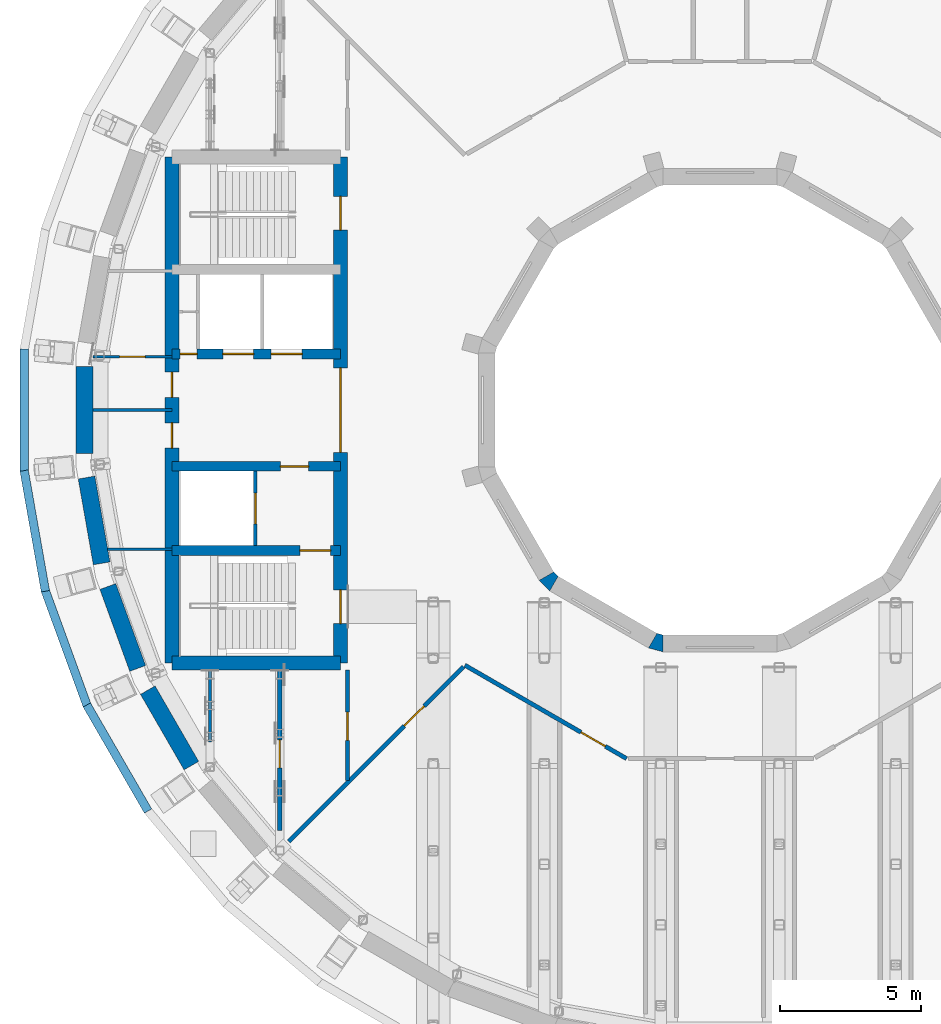
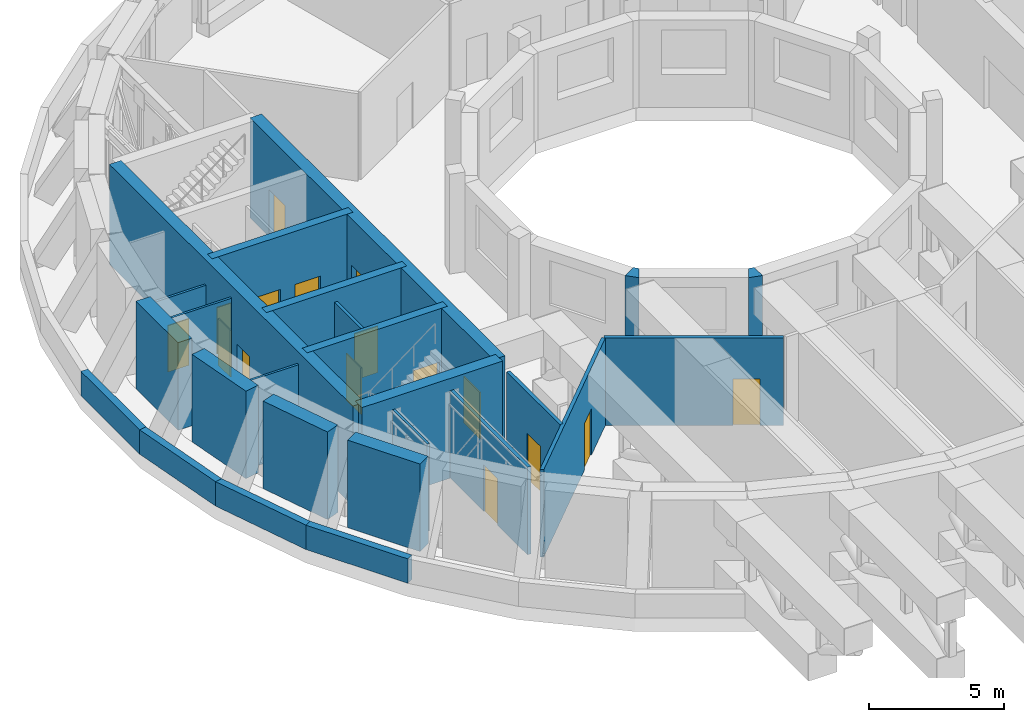
# One storey, part 11 of 20: 25 walls, 16 doors, 16 openings.
"""IFC4 building model written with IfcOpenShell, lengths in metres."""

import ifcopenshell
import ifcopenshell.guid

model = None  # the IFC model being written
_history = None  # IfcOwnerHistory: only IFC2X3 demands one
_inside = {}  # id of a spatial element -> (the spatial element, [elements in it])
_under = {}  # id of a project, library or spatial element -> (it, [spatial elements below it])
_declared = {}  # id of a project -> (the project, [libraries it declares])
_typed = {}  # id of a type object -> (the type object, [elements of that type])
_made_of = {}  # id of a material, layer set ... -> (it, [elements and type objects made of it])


def new_model(schema):
    """Start an empty IFC model of exactly this schema.

    Asked for "IFC4X3", IfcOpenShell would pick the latest addendum, in which some entities
    have other attributes; the version numbers below select the first issue.
    IFC2X3 requires an IfcOwnerHistory on every rooted entity: one is made here for all.
    """
    global model, _history
    if schema == "IFC4X3":
        model = ifcopenshell.file(schema_version=(4, 3, 0, 0))
    else:
        model = ifcopenshell.file(schema=schema)
    _inside.clear()
    _under.clear()
    _declared.clear()
    _typed.clear()
    _made_of.clear()
    _history = None
    if model.schema == "IFC2X3":
        org = make("IfcOrganization", Name="unknown")
        user = make(
            "IfcPersonAndOrganization",
            ThePerson=make("IfcPerson", FamilyName="unknown"),
            TheOrganization=org,
        )
        app = make(
            "IfcApplication",
            ApplicationDeveloper=org,
            Version="unknown",
            ApplicationFullName="unknown",
            ApplicationIdentifier="unknown",
        )
        _history = make(
            "IfcOwnerHistory",
            OwningUser=user,
            OwningApplication=app,
            ChangeAction="ADDED",
            CreationDate=0,
        )
    return model


def make(cls, **values):
    """One entity of the class cls with the attributes given. An attribute that is None is left unset."""
    return model.create_entity(
        cls, **{name: value for name, value in values.items() if value is not None}
    )


def rooted(cls, **values):
    """An entity with a GlobalId (a new one), such as an element, a storey or a relation."""
    return make(cls, GlobalId=ifcopenshell.guid.new(), OwnerHistory=_history, **values)


def si_unit(unit_type, name, prefix=None):
    """IfcSIUnit, for example si_unit("LENGTHUNIT", "METRE", prefix="MILLI")."""
    return make("IfcSIUnit", UnitType=unit_type, Prefix=prefix, Name=name)


def assignment(units):
    """IfcUnitAssignment: the units of a project."""
    return None if units is None else make("IfcUnitAssignment", Units=units)


def point(xyz):
    """IfcCartesianPoint."""
    return None if xyz is None else make("IfcCartesianPoint", Coordinates=xyz)


def direction(xyz):
    """IfcDirection."""
    return None if xyz is None else make("IfcDirection", DirectionRatios=xyz)


def frame(location, z_axis=None, x_axis=None):
    """IfcAxis2Placement3D, a coordinate frame: its origin and axes. An axis left out is left unset."""
    return make(
        "IfcAxis2Placement3D",
        Location=point(location),
        Axis=direction(z_axis),
        RefDirection=direction(x_axis),
    )


def frame_2d(location, x_axis=None):
    """IfcAxis2Placement2D, a coordinate frame in the plane: its origin and x axis."""
    return make(
        "IfcAxis2Placement2D", Location=point(location), RefDirection=direction(x_axis)
    )


def origin():
    """The frame at (0, 0, 0) with its axes left unset."""
    return frame((0.0, 0.0, 0.0))


def place(relative_to, where):
    """IfcLocalPlacement: puts the frame where relative to a parent placement (None: the world)."""
    return make(
        "IfcLocalPlacement", PlacementRelTo=relative_to, RelativePlacement=where
    )


def context(
    kind, dimensions, precision=None, world=None, true_north=None, identifier=None
):
    """IfcGeometricRepresentationContext, for example the 3D "Model" context."""
    return make(
        "IfcGeometricRepresentationContext",
        ContextIdentifier=identifier,
        ContextType=kind,
        CoordinateSpaceDimension=dimensions,
        Precision=precision,
        WorldCoordinateSystem=world,
        TrueNorth=true_north,
    )


def subcontext(parent, identifier, kind, view, scale=None):
    """IfcGeometricRepresentationSubContext, for example "Body" below "Model"."""
    return make(
        "IfcGeometricRepresentationSubContext",
        ContextIdentifier=identifier,
        ContextType=kind,
        ParentContext=parent,
        TargetScale=scale,
        TargetView=view,
    )


def project(units=None, contexts=None):
    """IfcProject with its units and contexts."""
    return rooted(
        "IfcProject",
        Name="project",
        RepresentationContexts=contexts,
        UnitsInContext=assignment(units),
    )


def spatial(cls, under=None, at=None, **own):
    """A site, building, storey or space (cls), placed at a placement, below another one or the project."""
    s = rooted(cls, ObjectPlacement=at, **own)
    if under is not None:
        _under.setdefault(under.id(), (under, []))[1].append(s)
    return s


def polyline(points):
    """IfcPolyline through the points."""
    return make("IfcPolyline", Points=[point(p) for p in points])


def profile(cls, at=None, kind="AREA", **sizes):
    """A parametric profile (cls). Its sizes go by their IFC names, for example OverallWidth=200.0."""
    return make(cls, ProfileType=kind, Position=at, **sizes)


def rectangle(**sizes):
    """IfcRectangleProfileDef."""
    return profile("IfcRectangleProfileDef", **sizes)


def outline(outer, holes=None, kind="AREA"):
    """IfcArbitraryClosedProfileDef: a profile drawn as a closed curve; with holes, ...WithVoids."""
    if holes is None:
        return make("IfcArbitraryClosedProfileDef", ProfileType=kind, OuterCurve=outer)
    return make(
        "IfcArbitraryProfileDefWithVoids",
        ProfileType=kind,
        OuterCurve=outer,
        InnerCurves=holes,
    )


def extrude(swept, where, along, depth):
    """IfcExtrudedAreaSolid: the profile swept, set in the frame where, extruded along a direction by depth."""
    return make(
        "IfcExtrudedAreaSolid",
        SweptArea=swept,
        Position=where,
        ExtrudedDirection=direction(along),
        Depth=depth,
    )


def shape(context_of_items, identifier, shape_type, items):
    """IfcShapeRepresentation: the items that make up one representation, for example the "Body"."""
    return make(
        "IfcShapeRepresentation",
        ContextOfItems=context_of_items,
        RepresentationIdentifier=identifier,
        RepresentationType=shape_type,
        Items=items,
    )


def material(Name=None, Category=None):
    """IfcMaterial."""
    return make("IfcMaterial", Name=Name, Category=Category)


def layer(
    of_material, thickness, ventilated=None, Name=None, Category=None, Priority=None
):
    """IfcMaterialLayer: one layer of a wall or slab, of a material (None: an air gap)."""
    return make(
        "IfcMaterialLayer",
        Material=of_material,
        LayerThickness=thickness,
        IsVentilated=ventilated,
        Name=Name,
        Category=Category,
        Priority=Priority,
    )


def layer_set(layers, Name=None):
    """IfcMaterialLayerSet."""
    return make("IfcMaterialLayerSet", MaterialLayers=layers, LayerSetName=Name)


def made_of(thing, what):
    """Note that an element or type object is made of a material, layer set ...; save() writes the relation."""
    if what is not None:
        _made_of.setdefault(what.id(), (what, []))[1].append(thing)
    return thing


def type_object(cls, material=None, **own):
    """A type object (cls), such as IfcWallType, which elements share."""
    return made_of(rooted(cls, **own), material)


def element(
    cls,
    number,
    at=None,
    inside=None,
    cuts=None,
    type_object=None,
    material=None,
    context=None,
    identifier="Body",
    shape_type=None,
    held_by="IfcProductDefinitionShape",
    body=None,
    shapes=None,
    **own,
):
    """One element of the class cls, such as IfcWall. Its Tag is "e" and its number.

    at: its placement. inside: the storey or other place that contains it. cuts: it is an
    opening in that element (IfcRelVoidsElement). A single representation is given by context,
    identifier, shape_type and body (its items); several are given by shapes. held_by: the class
    of the entity that holds the representations. save() writes the other relations.
    """
    e = rooted(cls, Tag="e%d" % number, ObjectPlacement=at, **own)
    if body is not None:
        shapes = [shape(context, identifier, shape_type, body)]
    if shapes is not None:
        e.Representation = make(held_by, Representations=shapes)
    if inside is not None:
        _inside.setdefault(inside.id(), (inside, []))[1].append(e)
    if cuts is not None:
        rooted(
            "IfcRelVoidsElement", RelatingBuildingElement=cuts, RelatedOpeningElement=e
        )
    if type_object is not None:
        _typed.setdefault(type_object.id(), (type_object, []))[1].append(e)
    return made_of(e, material)


def fill(opening, filler):
    """IfcRelFillsElement: the door or window that sits in an opening."""
    return rooted(
        "IfcRelFillsElement",
        RelatingOpeningElement=opening,
        RelatedBuildingElement=filler,
    )


def aggregate(whole, parts):
    """IfcRelAggregates: a whole, such as a stair, and the parts it consists of."""
    return rooted("IfcRelAggregates", RelatingObject=whole, RelatedObjects=parts)


def save(model, path):
    """Write the relations noted so far, then the file.

    IfcRelAggregates (storeys below a building ...), IfcRelContainedInSpatialStructure (elements
    in a storey), IfcRelDefinesByType, IfcRelAssociatesMaterial and IfcRelDeclares: one each for
    every whole, place, type object, material and project.
    """
    for whole, parts in _under.values():
        aggregate(whole, parts)
    for where, things in _inside.values():
        rooted(
            "IfcRelContainedInSpatialStructure",
            RelatedElements=things,
            RelatingStructure=where,
        )
    for kind, things in _typed.values():
        rooted("IfcRelDefinesByType", RelatedObjects=things, RelatingType=kind)
    for what, things in _made_of.values():
        rooted("IfcRelAssociatesMaterial", RelatedObjects=things, RelatingMaterial=what)
    for by, libraries in _declared.values():
        rooted("IfcRelDeclares", RelatingContext=by, RelatedDefinitions=libraries)
    model.write(path)


model = new_model("IFC4")

# Units and contexts
model_context = context("Model", 3, precision=1e-05, world=origin(), true_north=direction((0.0, 1.0)))
body_context = subcontext(model_context, "Body", "Model", "MODEL_VIEW")
ifc_project = project(units=[si_unit("LENGTHUNIT", "METRE"), si_unit("AREAUNIT", "SQUARE_METRE"), si_unit("VOLUMEUNIT", "CUBIC_METRE"), si_unit("PLANEANGLEUNIT", "RADIAN"), si_unit("MASSUNIT", "GRAM", prefix="KILO")], contexts=[model_context])

# Site, building, storey
site_placement = place(None, origin())
site = spatial("IfcSite", under=ifc_project, at=site_placement, CompositionType="ELEMENT")
building_placement = place(site_placement, origin())
building = spatial("IfcBuilding", under=site, at=building_placement, Name="Saqina Gate Tower", CompositionType="ELEMENT")
storey_placement = place(building_placement, frame((0.0, 0.0, 220.199951171875)))
storey = spatial("IfcBuildingStorey", under=building, at=storey_placement, Name="L63", CompositionType="ELEMENT", Elevation=220.199951171875)

# Wall, opening, door
ifc_material_1 = material(Name="Gypsum board on steel studs", Category="steel")
ifc_layer_1 = layer(ifc_material_1, 0.10009765625)
ifc_layer_set_1 = layer_set([ifc_layer_1], Name="CORE PARTITION")
wall_type_1 = type_object("IfcWallType", Name="CORE PARTITION", PredefinedType="PARTITIONING", material=ifc_layer_set_1)
wall_1_placement = place(storey_placement, frame((-19.5, 1.89990234375, 0.0), z_axis=(0.0, 0.0, 1.0), x_axis=(-1.0, 0.0, 0.0)))
wall_1 = element("IfcWall", 1, at=wall_1_placement, inside=storey, type_object=wall_type_1, Name="L63-CP-W03", PredefinedType="PARTITIONING", context=body_context, shape_type="SweptSolid", body=[
    extrude(rectangle(XDim=2.8125, YDim=0.10009765625, at=frame_2d((1.40625, 0.0))), origin(), (0.0, 0.0, 1.0), 3.376953125),
])
opening_1_placement = place(wall_1_placement, frame((0.956298828125, 0.0, 0.0)))
opening_1 = element("IfcOpeningElement", 2, at=opening_1_placement, cuts=wall_1, Name="Opening L63-D102", PredefinedType="OPENING", context=body_context, shape_type="SweptSolid", body=[
    extrude(rectangle(XDim=0.89990234375, YDim=2.10009765625, at=frame_2d((0.449951171875, 1.050048828125))), frame((0.0, 0.06201171875, 0.0), z_axis=(0.0, -1.0, 0.0), x_axis=(1.0, 0.0, 0.0)), (0.0, 0.0, 1.0), 0.1240234375),
])
ifc_material_2 = material(Name="Steel-framed fire door leaf, EI 60", Category="steel")
door_type_1 = type_object("IfcDoorType", Name="SERVICE ROOM DOOR 900", OperationType="SINGLE_SWING_LEFT", PredefinedType="DOOR", material=ifc_material_2)
door_1_placement = place(opening_1_placement, frame((0.89990234375, 0.0, 0.0), z_axis=(0.0, 0.0, 1.0), x_axis=(-1.0, 0.0, 0.0)))
door_1 = element("IfcDoor", 3, at=door_1_placement, inside=storey, type_object=door_type_1, Name="L63-CD-W13", OperationType="SINGLE_SWING_LEFT", OverallHeight=2.10009765625, OverallWidth=0.89990234375, PredefinedType="DOOR", context=body_context, shape_type="SweptSolid", body=[
    extrude(rectangle(XDim=0.89990234375, YDim=2.10009765625, at=frame_2d((0.449951171875, 1.050048828125))), frame((0.0, 0.02490234375, 0.0), z_axis=(0.0, -1.0, 0.0), x_axis=(1.0, 0.0, 0.0)), (0.0, 0.0, 1.0), 0.050048828125),
])
fill(opening_1, door_1)

# Walls
wall_2_placement = place(storey_placement, frame((-19.5, -4.949951171875, 0.0), z_axis=(0.0, 0.0, 1.0), x_axis=(-1.0, 0.0, 0.0)))
element("IfcWall", 4, at=wall_2_placement, inside=storey, type_object=wall_type_1, Name="L63-CP-W04", PredefinedType="PARTITIONING", context=body_context, shape_type="SweptSolid", body=[
    extrude(rectangle(XDim=2.283935546875, YDim=0.10009765625, at=frame_2d((1.14208984375, 0.0))), origin(), (0.0, 0.0, 1.0), 3.949951171875),
])
wall_3_placement = place(storey_placement, frame((-19.5, 0.0, 0.0), z_axis=(0.0, 0.0, 1.0), x_axis=(-1.0, 0.0, 0.0)))
element("IfcWall", 5, at=wall_3_placement, inside=storey, type_object=wall_type_1, Name="L63-CP-W05", PredefinedType="PARTITIONING", context=body_context, shape_type="SweptSolid", body=[
    extrude(rectangle(XDim=2.8125, YDim=0.10009765625, at=frame_2d((1.40625, 0.0))), origin(), (0.0, 0.0, 1.0), 3.949951171875),
])
ifc_material_3 = material(Name="Brick masonry (buff)", Category="masonry")
ifc_layer_2 = layer(ifc_material_3, 0.60009765625)
ifc_layer_set_2 = layer_set([ifc_layer_2], Name="FW-BRICK-BUFF")
wall_type_2 = type_object("IfcWallType", Name="FW-BRICK-BUFF", PredefinedType="SOLIDWALL", material=ifc_layer_set_2)
wall_4_placement = place(storey_placement, frame((-20.358154296875, -9.96337890625, 0.0), z_axis=(0.0, 0.0, 1.0), x_axis=(0.499974592989, -0.866040072032, 0.0)))
element("IfcWall", 6, at=wall_4_placement, inside=storey, type_object=wall_type_2, Name="Facade wall L63 facet 21", PredefinedType="SOLIDWALL", context=body_context, shape_type="SweptSolid", body=[
    extrude(rectangle(XDim=3.101318359375, YDim=0.60009765625, at=frame_2d((1.55078125, 0.0))), origin(), (0.0, 0.0, 1.0), 3.949951171875),
])
ifc_material_4 = material(Name="Glazed ceramic tile", Category="ceramic")
ifc_layer_3 = layer(ifc_material_4, 0.60009765625)
ifc_layer_set_3 = layer_set([ifc_layer_3], Name="FW-TILE")
wall_type_3 = type_object("IfcWallType", Name="FW-TILE", PredefinedType="SOLIDWALL", material=ifc_layer_set_3)
for number, where, z_axis, x_axis, name in (
    (7, (-22.612548828125, 1.550537109375, 0.0), (0.0, 0.0, 1.0), (0.0, -1.0, 0.0), "Facade wall L63 facet 18"),
    (8, (-21.779052734375, -6.27685546875, 0.0), (0.0, 0.0, 1.0), (0.341995900855, -0.93970144397, 0.0), "Facade wall L63 facet 20"),
):
    element("IfcWall", number, at=place(storey_placement, frame(where, z_axis=z_axis, x_axis=x_axis)), inside=storey, type_object=wall_type_3, Name=name, PredefinedType="SOLIDWALL", context=body_context, shape_type="SweptSolid", body=[
        extrude(rectangle(XDim=3.10107421875, YDim=0.60009765625, at=frame_2d((1.550537109375, 0.0))), origin(), (0.0, 0.0, 1.0), 3.949951171875),
    ])
ifc_material_5 = material(Name="Glazed ceramic tile (dark blue)", Category="ceramic")
ifc_layer_4 = layer(ifc_material_5, 0.60009765625)
ifc_layer_set_4 = layer_set([ifc_layer_4], Name="FW-TILE-CB")
wall_type_4 = type_object("IfcWallType", Name="FW-TILE-CB", PredefinedType="SOLIDWALL", material=ifc_layer_set_4)
wall_5_placement = place(storey_placement, frame((-22.5380859375, -2.399658203125, 0.0), z_axis=(0.0, 0.0, 1.0), x_axis=(0.173596698961, -0.98481682871, 0.0)))
element("IfcWall", 9, at=wall_5_placement, inside=storey, type_object=wall_type_4, Name="Facade wall L63 facet 19", PredefinedType="SOLIDWALL", context=body_context, shape_type="SweptSolid", body=[
    extrude(rectangle(XDim=3.10107421875, YDim=0.60009765625, at=frame_2d((1.550537109375, 0.0))), origin(), (0.0, 0.0, 1.0), 3.949951171875),
])
ifc_material_6 = material(Name="Brick masonry (buff)", Category="masonry")
ifc_layer_5 = layer(ifc_material_6, 0.300048828125)
ifc_layer_set_5 = layer_set([ifc_layer_5], Name="PA-ROOF")
wall_type_5 = type_object("IfcWallType", Name="PA-ROOF", PredefinedType="PARAPET", material=ifc_layer_set_5)
wall_6_placement = place(storey_placement, frame((-24.7548828125, 2.178955078125, 0.0), z_axis=(0.0, 0.0, 1.0), x_axis=(0.0, -1.0, 0.0)))
element("IfcWall", 10, at=wall_6_placement, inside=storey, type_object=wall_type_5, Name="Parapet L63 edge 18", PredefinedType="PARAPET", context=body_context, shape_type="SweptSolid", body=[
    extrude(rectangle(XDim=4.35791015625, YDim=0.300048828125, at=frame_2d((2.178955078125, 0.0))), origin(), (0.0, 0.0, 1.0), 1.10009765625),
])
for number, where, z_axis, x_axis, name in (
    (11, (-24.757080078125, -2.15283203125, 0.0), (0.0, 0.0, 1.0), (0.173622331815, -0.984812309984, 0.0), "Parapet L63 edge 19"),
    (12, (-24.007080078125, -6.419189453125, 0.0), (0.0, 0.0, 1.0), (0.342026438957, -0.93969032934, 0.0), "Parapet L63 edge 20"),
):
    element("IfcWall", number, at=place(storey_placement, frame(where, z_axis=z_axis, x_axis=x_axis)), inside=storey, type_object=wall_type_5, Name=name, PredefinedType="PARAPET", context=body_context, shape_type="SweptSolid", body=[
        extrude(rectangle(XDim=4.357666015625, YDim=0.300048828125, at=frame_2d((2.1787109375, 0.0))), origin(), (0.0, 0.0, 1.0), 1.10009765625),
    ])
wall_7_placement = place(storey_placement, frame((-22.52783203125, -10.490478515625, 0.0), z_axis=(0.0, 0.0, 1.0), x_axis=(0.500013426303, -0.866017651966, 0.0)))
element("IfcWall", 13, at=wall_7_placement, inside=storey, type_object=wall_type_5, Name="Parapet L63 edge 21", PredefinedType="PARAPET", context=body_context, shape_type="SweptSolid", body=[
    extrude(rectangle(XDim=4.35791015625, YDim=0.300048828125, at=frame_2d((2.178955078125, 0.0))), origin(), (0.0, 0.0, 1.0), 1.10009765625),
])

# Wall, opening, door
ifc_material_7 = material(Name="Autoclaved aerated concrete block", Category="concrete")
ifc_layer_6 = layer(ifc_material_7, 0.1201171875)
ifc_layer_set_6 = layer_set([ifc_layer_6], Name="SHAFT PARTITION")
wall_type_6 = type_object("IfcWallType", Name="SHAFT PARTITION", PredefinedType="PARTITIONING", material=ifc_layer_set_6)
wall_8_placement = place(storey_placement, frame((-16.530029296875, -4.824951171875, 0.0), z_axis=(0.0, 0.0, 1.0), x_axis=(0.0, 1.0, 0.0)))
wall_8 = element("IfcWall", 14, at=wall_8_placement, inside=storey, type_object=wall_type_6, Name="L63-CP-W08", PredefinedType="PARTITIONING", context=body_context, shape_type="SweptSolid", body=[
    extrude(rectangle(XDim=2.64990234375, YDim=0.1201171875, at=frame_2d((1.324951171875, 0.0))), origin(), (0.0, 0.0, 1.0), 3.949951171875),
])
opening_2_placement = place(wall_8_placement, frame((0.77490234375, 0.0, 0.0)))
opening_2 = element("IfcOpeningElement", 15, at=opening_2_placement, cuts=wall_8, Name="Opening L63-LD6", PredefinedType="OPENING", context=body_context, shape_type="SweptSolid", body=[
    extrude(rectangle(XDim=1.10009765625, YDim=2.10009765625, at=frame_2d((0.550048828125, 1.050048828125))), frame((0.0, 0.072021484375, 0.0), z_axis=(0.0, -1.0, 0.0), x_axis=(1.0, 0.0, 0.0)), (0.0, 0.0, 1.0), 0.14404296875),
])
ifc_material_8 = material(Name="Stainless steel", Category="steel")
door_type_2 = type_object("IfcDoorType", Name="LANDING DOOR", OperationType="DOUBLE_DOOR_SLIDING", PredefinedType="DOOR", material=ifc_material_8)
door_2_placement = place(opening_2_placement, origin())
door_2 = element("IfcDoor", 16, at=door_2_placement, inside=storey, type_object=door_type_2, Name="LANDING DOOR FF2", OperationType="DOUBLE_DOOR_SLIDING", OverallHeight=2.10009765625, OverallWidth=1.10009765625, PredefinedType="DOOR", context=body_context, shape_type="SweptSolid", body=[
    extrude(rectangle(XDim=1.10009765625, YDim=2.10009765625, at=frame_2d((0.550048828125, 1.050048828125))), frame((0.0, 0.02490234375, 0.0), z_axis=(0.0, -1.0, 0.0), x_axis=(1.0, 0.0, 0.0)), (0.0, 0.0, 1.0), 0.050048828125),
])
fill(opening_2, door_2)

# Wall
ifc_material_9 = material(Name="Gypsum board on steel studs, 100 mm", Category="steel")
ifc_layer_7 = layer(ifc_material_9, 0.10009765625)
ifc_layer_set_7 = layer_set([ifc_layer_7], Name="SPECIAL PARTITION 100")
wall_type_7 = type_object("IfcWallType", Name="SPECIAL PARTITION 100", PredefinedType="PARTITIONING", material=ifc_layer_set_7)
wall_9_placement = place(storey_placement, frame((-18.14404296875, -11.80908203125, 0.0), z_axis=(0.0, 0.0, 1.0), x_axis=(0.0, 1.0, 0.0)))
element("IfcWall", 17, at=wall_9_placement, inside=storey, type_object=wall_type_7, Name="PARTITION 037", PredefinedType="PARTITIONING", context=body_context, shape_type="SweptSolid", body=[
    extrude(rectangle(XDim=2.55908203125, YDim=0.10009765625, at=frame_2d((1.279541015625, 0.0))), origin(), (0.0, 0.0, 1.0), 3.949951171875),
])

# Wall, opening, door
ifc_material_10 = material(Name="Masonry block and plaster, 150 mm, fire rated", Category="masonry")
ifc_layer_8 = layer(ifc_material_10, 0.14990234375)
ifc_layer_set_8 = layer_set([ifc_layer_8], Name="SPECIAL PARTITION EI 60 150")
wall_type_8 = type_object("IfcWallType", Name="SPECIAL PARTITION EI 60 150", PredefinedType="PARTITIONING", material=ifc_layer_set_8)
wall_10_placement = place(storey_placement, frame((-9.076904296875, -9.076904296875, 0.0), z_axis=(0.0, 0.0, 1.0), x_axis=(0.865961614908, -0.500110469302, 0.0)))
wall_10 = element("IfcWall", 18, at=wall_10_placement, inside=storey, type_object=wall_type_8, Name="PARTITION 004", PredefinedType="PARTITIONING", context=body_context, shape_type="SweptSolid", body=[
    extrude(rectangle(XDim=6.64453125, YDim=0.14990234375, at=frame_2d((3.322265625, 0.0))), origin(), (0.0, 0.0, 1.0), 3.949951171875),
])
opening_3_placement = place(wall_10_placement, frame((4.772216796875, 0.0, 0.0)))
opening_3 = element("IfcOpeningElement", 19, at=opening_3_placement, cuts=wall_10, Name="Opening L63-D13", PredefinedType="OPENING", context=body_context, shape_type="SweptSolid", body=[
    extrude(rectangle(XDim=1.0, YDim=2.10009765625, at=frame_2d((0.5, 1.050048828125))), frame((0.0, 0.0869140625, 0.0), z_axis=(0.0, -1.0, 0.0), x_axis=(1.0, 0.0, 0.0)), (0.0, 0.0, 1.0), 0.173828125),
])
ifc_material_11 = material(Name="Steel-framed fire door leaf, EI 60", Category="steel")
door_type_3 = type_object("IfcDoorType", Name="SPECIAL DOOR 1000 FIRE EI 60", OperationType="SINGLE_SWING_LEFT", PredefinedType="DOOR", material=ifc_material_11)
door_3_placement = place(opening_3_placement, frame((1.0, 0.0, 0.0), z_axis=(0.0, 0.0, 1.0), x_axis=(-1.0, 0.0, 0.0)))
door_3 = element("IfcDoor", 20, at=door_3_placement, inside=storey, type_object=door_type_3, Name="DOOR L63-D13", OperationType="SINGLE_SWING_RIGHT", OverallHeight=2.10009765625, OverallWidth=1.0, PredefinedType="DOOR", context=body_context, shape_type="SweptSolid", body=[
    extrude(rectangle(XDim=1.0, YDim=2.10009765625, at=frame_2d((0.5, 1.050048828125))), frame((0.0, 0.02490234375, 0.0), z_axis=(0.0, -1.0, 0.0), x_axis=(1.0, 0.0, 0.0)), (0.0, 0.0, 1.0), 0.050048828125),
])
fill(opening_3, door_3)

wall_11_placement = place(storey_placement, frame((-15.343994140625, -15.343994140625, 0.0), z_axis=(0.0, 0.0, 1.0), x_axis=(0.707106781187, 0.707106781187, 0.0)))
wall_11 = element("IfcWall", 21, at=wall_11_placement, inside=storey, type_object=wall_type_8, Name="PARTITION 014", PredefinedType="PARTITIONING", context=body_context, shape_type="SweptSolid", body=[
    extrude(rectangle(XDim=8.7880859375, YDim=0.14990234375, at=frame_2d((4.39404296875, 0.0))), origin(), (0.0, 0.0, 1.0), 3.949951171875),
])
opening_4_placement = place(wall_11_placement, frame((5.81005859375, 0.0, 0.0)))
opening_4 = element("IfcOpeningElement", 22, at=opening_4_placement, cuts=wall_11, Name="Opening L63-D12", PredefinedType="OPENING", context=body_context, shape_type="SweptSolid", body=[
    extrude(rectangle(XDim=1.0, YDim=2.10009765625, at=frame_2d((0.5, 1.050048828125))), frame((0.0, 0.0869140625, 0.0), z_axis=(0.0, -1.0, 0.0), x_axis=(1.0, 0.0, 0.0)), (0.0, 0.0, 1.0), 0.173828125),
])
door_4_placement = place(opening_4_placement, frame((1.0, 0.0, 0.0), z_axis=(0.0, 0.0, 1.0), x_axis=(-1.0, 0.0, 0.0)))
door_4 = element("IfcDoor", 23, at=door_4_placement, inside=storey, type_object=door_type_3, Name="DOOR L63-D12", OperationType="SINGLE_SWING_LEFT", OverallHeight=2.10009765625, OverallWidth=1.0, PredefinedType="DOOR", context=body_context, shape_type="SweptSolid", body=[
    extrude(rectangle(XDim=1.0, YDim=2.10009765625, at=frame_2d((0.5, 1.050048828125))), frame((0.0, 0.02490234375, 0.0), z_axis=(0.0, -1.0, 0.0), x_axis=(1.0, 0.0, 0.0)), (0.0, 0.0, 1.0), 0.050048828125),
])
fill(opening_4, door_4)

wall_12_placement = place(storey_placement, frame((-13.25, -13.175048828125, 0.0), z_axis=(0.0, 0.0, 1.0), x_axis=(0.0, 1.0, 0.0)))
wall_12 = element("IfcWall", 24, at=wall_12_placement, inside=storey, type_object=wall_type_8, Name="PARTITION 033", PredefinedType="PARTITIONING", context=body_context, shape_type="SweptSolid", body=[
    extrude(rectangle(XDim=3.925048828125, YDim=0.14990234375, at=frame_2d((1.96240234375, 0.0))), origin(), (0.0, 0.0, 1.0), 3.949951171875),
])
opening_5_placement = place(wall_12_placement, frame((1.425048828125, 0.0, 0.0)))
opening_5 = element("IfcOpeningElement", 25, at=opening_5_placement, cuts=wall_12, Name="Opening L63-D11", PredefinedType="OPENING", context=body_context, shape_type="SweptSolid", body=[
    extrude(rectangle(XDim=1.0, YDim=2.10009765625, at=frame_2d((0.5, 1.050048828125))), frame((0.0, 0.0869140625, 0.0), z_axis=(0.0, -1.0, 0.0), x_axis=(1.0, 0.0, 0.0)), (0.0, 0.0, 1.0), 0.173828125),
])
door_5_placement = place(opening_5_placement, origin())
door_5 = element("IfcDoor", 26, at=door_5_placement, inside=storey, type_object=door_type_3, Name="DOOR L63-D11", OperationType="SINGLE_SWING_LEFT", OverallHeight=2.10009765625, OverallWidth=1.0, PredefinedType="DOOR", context=body_context, shape_type="SweptSolid", body=[
    extrude(rectangle(XDim=1.0, YDim=2.10009765625, at=frame_2d((0.5, 1.050048828125))), frame((0.0, 0.02490234375, 0.0), z_axis=(0.0, -1.0, 0.0), x_axis=(1.0, 0.0, 0.0)), (0.0, 0.0, 1.0), 0.050048828125),
])
fill(opening_5, door_5)

wall_13_placement = place(storey_placement, frame((-15.662109375, -14.965087890625, 0.0), z_axis=(0.0, 0.0, 1.0), x_axis=(0.0, 1.0, 0.0)))
wall_13 = element("IfcWall", 27, at=wall_13_placement, inside=storey, type_object=wall_type_8, Name="PARTITION 035", PredefinedType="PARTITIONING", context=body_context, shape_type="SweptSolid", body=[
    extrude(rectangle(XDim=5.715087890625, YDim=0.14990234375, at=frame_2d((2.857421875, 0.0))), origin(), (0.0, 0.0, 1.0), 3.949951171875),
])
opening_6_placement = place(wall_13_placement, frame((2.235107421875, 0.0, 0.0)))
opening_6 = element("IfcOpeningElement", 28, at=opening_6_placement, cuts=wall_13, Name="Opening L63-D10", PredefinedType="OPENING", context=body_context, shape_type="SweptSolid", body=[
    extrude(rectangle(XDim=1.0, YDim=2.10009765625, at=frame_2d((0.5, 1.050048828125))), frame((0.0, 0.0869140625, 0.0), z_axis=(0.0, -1.0, 0.0), x_axis=(1.0, 0.0, 0.0)), (0.0, 0.0, 1.0), 0.173828125),
])
door_6_placement = place(opening_6_placement, frame((1.0, 0.0, 0.0), z_axis=(0.0, 0.0, 1.0), x_axis=(-1.0, 0.0, 0.0)))
door_6 = element("IfcDoor", 29, at=door_6_placement, inside=storey, type_object=door_type_3, Name="DOOR L63-D10", OperationType="SINGLE_SWING_RIGHT", OverallHeight=2.10009765625, OverallWidth=1.0, PredefinedType="DOOR", context=body_context, shape_type="SweptSolid", body=[
    extrude(rectangle(XDim=1.0, YDim=2.10009765625, at=frame_2d((0.5, 1.050048828125))), frame((0.0, 0.02490234375, 0.0), z_axis=(0.0, -1.0, 0.0), x_axis=(1.0, 0.0, 0.0)), (0.0, 0.0, 1.0), 0.050048828125),
])
fill(opening_6, door_6)

ifc_material_12 = material(Name="Concrete C60/75", Category="concrete")
ifc_layer_9 = layer(ifc_material_12, 0.35009765625)
ifc_layer_set_9 = layer_set([ifc_layer_9], Name="Concrete C60/75")
wall_type_9 = type_object("IfcWallType", Name="STR-CORE WALL-D-I", PredefinedType="SHEAR", material=ifc_layer_set_9)
wall_14_placement = place(storey_placement, frame((-13.5, -5.0, 0.0), z_axis=(0.0, 0.0, 1.0), x_axis=(-1.0, 0.0, 0.0)))
wall_14 = element("IfcWall", 30, at=wall_14_placement, inside=storey, type_object=wall_type_9, Name="CORE WALL L63 W-X2", PredefinedType="SHEAR", context=body_context, shape_type="SweptSolid", body=[
    extrude(rectangle(XDim=6.0, YDim=0.35009765625, at=frame_2d((3.0, 0.0))), origin(), (0.0, 0.0, 1.0), 4.5),
])
opening_7_placement = place(wall_14_placement, frame((0.35009765625, 0.0, 0.0)))
opening_7 = element("IfcOpeningElement", 31, at=opening_7_placement, cuts=wall_14, Name="Opening L63-D106", PredefinedType="OPENING", context=body_context, shape_type="SweptSolid", body=[
    extrude(rectangle(XDim=1.10009765625, YDim=2.10009765625, at=frame_2d((0.550048828125, 1.050048828125))), frame((0.0, 0.18701171875, 0.0), z_axis=(0.0, -1.0, 0.0), x_axis=(1.0, 0.0, 0.0)), (0.0, 0.0, 1.0), 0.3740234375),
])
ifc_material_13 = material(Name="Steel", Category="steel")
door_type_4 = type_object("IfcDoorType", Name="FIRE LOBBY DOOR EI 60 WIDE", OperationType="SINGLE_SWING_LEFT", PredefinedType="DOOR", material=ifc_material_13)
door_7_placement = place(opening_7_placement, origin())
door_7 = element("IfcDoor", 32, at=door_7_placement, inside=storey, type_object=door_type_4, Name="L63-CD-W17", OperationType="SINGLE_SWING_LEFT", OverallHeight=2.10009765625, OverallWidth=1.10009765625, PredefinedType="DOOR", context=body_context, shape_type="SweptSolid", body=[
    extrude(rectangle(XDim=1.10009765625, YDim=2.10009765625, at=frame_2d((0.550048828125, 1.050048828125))), frame((0.0, 0.02490234375, 0.0), z_axis=(0.0, -1.0, 0.0), x_axis=(1.0, 0.0, 0.0)), (0.0, 0.0, 1.0), 0.050048828125),
])
fill(opening_7, door_7)

# Wall, openings, doors
wall_15_placement = place(storey_placement, frame((-13.5, 2.0, 0.0), z_axis=(0.0, 0.0, 1.0), x_axis=(-1.0, 0.0, 0.0)))
wall_15 = element("IfcWall", 33, at=wall_15_placement, inside=storey, type_object=wall_type_9, Name="CORE WALL L63 W-L1", PredefinedType="SHEAR", context=body_context, shape_type="SweptSolid", body=[
    extrude(rectangle(XDim=6.0, YDim=0.35009765625, at=frame_2d((3.0, 0.0))), origin(), (0.0, 0.0, 1.0), 4.5),
])
opening_8_placement = place(wall_15_placement, frame((1.3701171875, 0.0, 0.0)))
opening_8 = element("IfcOpeningElement", 34, at=opening_8_placement, cuts=wall_15, Name="Opening L63-LD4", PredefinedType="OPENING", context=body_context, shape_type="SweptSolid", body=[
    extrude(rectangle(XDim=1.10009765625, YDim=2.10009765625, at=frame_2d((0.550048828125, 1.050048828125))), frame((0.0, 0.18701171875, 0.0), z_axis=(0.0, -1.0, 0.0), x_axis=(1.0, 0.0, 0.0)), (0.0, 0.0, 1.0), 0.3740234375),
])
opening_9_placement = place(wall_15_placement, frame((3.090087890625, 0.0, 0.0)))
opening_9 = element("IfcOpeningElement", 35, at=opening_9_placement, cuts=wall_15, Name="Opening L63-LD5", PredefinedType="OPENING", context=body_context, shape_type="SweptSolid", body=[
    extrude(rectangle(XDim=1.10009765625, YDim=2.10009765625, at=frame_2d((0.550048828125, 1.050048828125))), frame((0.0, 0.18701171875, 0.0), z_axis=(0.0, -1.0, 0.0), x_axis=(1.0, 0.0, 0.0)), (0.0, 0.0, 1.0), 0.3740234375),
])
opening_10_placement = place(wall_15_placement, frame((5.10498046875, 0.0, 0.0)))
opening_10 = element("IfcOpeningElement", 36, at=opening_10_placement, cuts=wall_15, Name="Opening L63-D100", PredefinedType="OPENING", context=body_context, shape_type="SweptSolid", body=[
    extrude(rectangle(XDim=0.60009765625, YDim=2.10009765625, at=frame_2d((0.300048828125, 1.050048828125))), frame((0.0, 0.18701171875, 0.0), z_axis=(0.0, -1.0, 0.0), x_axis=(1.0, 0.0, 0.0)), (0.0, 0.0, 1.0), 0.3740234375),
])
door_8_placement = place(opening_8_placement, origin())
door_8 = element("IfcDoor", 37, at=door_8_placement, inside=storey, type_object=door_type_2, Name="LANDING DOOR HR3", OperationType="DOUBLE_DOOR_SLIDING", OverallHeight=2.10009765625, OverallWidth=1.10009765625, PredefinedType="DOOR", context=body_context, shape_type="SweptSolid", body=[
    extrude(rectangle(XDim=1.10009765625, YDim=2.10009765625, at=frame_2d((0.550048828125, 1.050048828125))), frame((0.0, 0.02490234375, 0.0), z_axis=(0.0, -1.0, 0.0), x_axis=(1.0, 0.0, 0.0)), (0.0, 0.0, 1.0), 0.050048828125),
])
fill(opening_8, door_8)
door_9_placement = place(opening_9_placement, origin())
door_9 = element("IfcDoor", 38, at=door_9_placement, inside=storey, type_object=door_type_2, Name="LANDING DOOR HR4", OperationType="DOUBLE_DOOR_SLIDING", OverallHeight=2.10009765625, OverallWidth=1.10009765625, PredefinedType="DOOR", context=body_context, shape_type="SweptSolid", body=[
    extrude(rectangle(XDim=1.10009765625, YDim=2.10009765625, at=frame_2d((0.550048828125, 1.050048828125))), frame((0.0, 0.02490234375, 0.0), z_axis=(0.0, -1.0, 0.0), x_axis=(1.0, 0.0, 0.0)), (0.0, 0.0, 1.0), 0.050048828125),
])
fill(opening_9, door_9)
ifc_material_14 = material(Name="Steel-framed fire door leaf, EI 60", Category="steel")
door_type_5 = type_object("IfcDoorType", Name="SERVICE ROOM DOOR 600", OperationType="SINGLE_SWING_LEFT", PredefinedType="DOOR", material=ifc_material_14)
door_10_placement = place(opening_10_placement, frame((0.60009765625, 0.0, 0.0), z_axis=(0.0, 0.0, 1.0), x_axis=(-1.0, 0.0, 0.0)))
door_10 = element("IfcDoor", 39, at=door_10_placement, inside=storey, type_object=door_type_5, Name="L63-CD-W11", OperationType="SINGLE_SWING_LEFT", OverallHeight=2.10009765625, OverallWidth=0.60009765625, PredefinedType="DOOR", context=body_context, shape_type="SweptSolid", body=[
    extrude(rectangle(XDim=0.60009765625, YDim=2.10009765625, at=frame_2d((0.300048828125, 1.050048828125))), frame((0.0, 0.02490234375, 0.0), z_axis=(0.0, -1.0, 0.0), x_axis=(1.0, 0.0, 0.0)), (0.0, 0.0, 1.0), 0.050048828125),
])
fill(opening_10, door_10)

# Wall, opening, door
wall_16_placement = place(storey_placement, frame((-13.5, -2.0, 0.0), z_axis=(0.0, 0.0, 1.0), x_axis=(-1.0, 0.0, 0.0)))
wall_16 = element("IfcWall", 40, at=wall_16_placement, inside=storey, type_object=wall_type_9, Name="CORE WALL L63 W-L2", PredefinedType="SHEAR", context=body_context, shape_type="SweptSolid", body=[
    extrude(rectangle(XDim=6.0, YDim=0.35009765625, at=frame_2d((3.0, 0.0))), origin(), (0.0, 0.0, 1.0), 4.5),
])
opening_11_placement = place(wall_16_placement, frame((1.139892578125, 0.0, 0.0)))
opening_11 = element("IfcOpeningElement", 41, at=opening_11_placement, cuts=wall_16, Name="Opening L63-D101", PredefinedType="OPENING", context=body_context, shape_type="SweptSolid", body=[
    extrude(rectangle(XDim=1.0, YDim=2.10009765625, at=frame_2d((0.5, 1.050048828125))), frame((0.0, 0.18701171875, 0.0), z_axis=(0.0, -1.0, 0.0), x_axis=(1.0, 0.0, 0.0)), (0.0, 0.0, 1.0), 0.3740234375),
])
ifc_material_15 = material(Name="Steel", Category="steel")
door_type_6 = type_object("IfcDoorType", Name="FIRE LOBBY DOOR EI 60", OperationType="SINGLE_SWING_LEFT", PredefinedType="DOOR", material=ifc_material_15)
door_11_placement = place(opening_11_placement, frame((1.0, 0.0, 0.0), z_axis=(0.0, 0.0, 1.0), x_axis=(-1.0, 0.0, 0.0)))
door_11 = element("IfcDoor", 42, at=door_11_placement, inside=storey, type_object=door_type_6, Name="L63-CD-W12", OperationType="SINGLE_SWING_RIGHT", OverallHeight=2.10009765625, OverallWidth=1.0, PredefinedType="DOOR", context=body_context, shape_type="SweptSolid", body=[
    extrude(rectangle(XDim=1.0, YDim=2.10009765625, at=frame_2d((0.5, 1.050048828125))), frame((0.0, 0.02490234375, 0.0), z_axis=(0.0, -1.0, 0.0), x_axis=(1.0, 0.0, 0.0)), (0.0, 0.0, 1.0), 0.050048828125),
])
fill(opening_11, door_11)

# Wall, openings, doors
ifc_material_16 = material(Name="Concrete C60/75", Category="concrete")
ifc_layer_10 = layer(ifc_material_16, 0.5)
ifc_layer_set_10 = layer_set([ifc_layer_10], Name="Concrete C60/75")
wall_type_10 = type_object("IfcWallType", Name="STR-CORE WALL-D-O", PredefinedType="SHEAR", material=ifc_layer_set_10)
wall_17_placement = place(storey_placement, frame((-13.5, -9.0, 0.0), z_axis=(0.0, 0.0, 1.0), x_axis=(0.0, 1.0, 0.0)))
wall_17 = element("IfcWall", 43, at=wall_17_placement, inside=storey, type_object=wall_type_10, Name="CORE WALL L63 W-W1", PredefinedType="SHEAR", context=body_context, shape_type="SweptSolid", body=[
    extrude(rectangle(XDim=18.0, YDim=0.5, at=frame_2d((9.0, 0.0))), origin(), (0.0, 0.0, 1.0), 4.5),
])
opening_12_placement = place(wall_17_placement, frame((15.39990234375, 0.0, 0.0)))
opening_12 = element("IfcOpeningElement", 44, at=opening_12_placement, cuts=wall_17, Name="Opening L63-D107", PredefinedType="OPENING", context=body_context, shape_type="SweptSolid", body=[
    extrude(rectangle(XDim=1.199951171875, YDim=2.10009765625, at=frame_2d((0.60009765625, 1.050048828125))), frame((0.0, 0.261962890625, 0.0), z_axis=(0.0, -1.0, 0.0), x_axis=(1.0, 0.0, 0.0)), (0.0, 0.0, 1.0), 0.52392578125),
])
opening_13_placement = place(wall_17_placement, frame((1.39990234375, 0.0, 0.0)))
opening_13 = element("IfcOpeningElement", 45, at=opening_13_placement, cuts=wall_17, Name="Opening L63-D108", PredefinedType="OPENING", context=body_context, shape_type="SweptSolid", body=[
    extrude(rectangle(XDim=1.199951171875, YDim=2.10009765625, at=frame_2d((0.60009765625, 1.050048828125))), frame((0.0, 0.261962890625, 0.0), z_axis=(0.0, -1.0, 0.0), x_axis=(1.0, 0.0, 0.0)), (0.0, 0.0, 1.0), 0.52392578125),
])
opening_14_placement = place(wall_17_placement, frame((7.5, 0.0, 0.0)))
opening_14 = element("IfcOpeningElement", 46, at=opening_14_placement, cuts=wall_17, Name="Opening L63-D109", PredefinedType="OPENING", context=body_context, shape_type="SweptSolid", body=[
    extrude(rectangle(XDim=3.0, YDim=2.39990234375, at=frame_2d((1.5, 1.199951171875))), frame((0.0, 0.261962890625, 0.0), z_axis=(0.0, -1.0, 0.0), x_axis=(1.0, 0.0, 0.0)), (0.0, 0.0, 1.0), 0.52392578125),
])
ifc_material_17 = material(Name="Steel", Category="steel")
door_type_7 = type_object("IfcDoorType", Name="FIRE DOOR EI 60", OperationType="SINGLE_SWING_LEFT", PredefinedType="DOOR", material=ifc_material_17)
door_12_placement = place(opening_12_placement, origin())
door_12 = element("IfcDoor", 47, at=door_12_placement, inside=storey, type_object=door_type_7, Name="L63-CD-W18", OperationType="SINGLE_SWING_RIGHT", OverallHeight=2.10009765625, OverallWidth=1.199951171875, PredefinedType="DOOR", context=body_context, shape_type="SweptSolid", body=[
    extrude(rectangle(XDim=1.199951171875, YDim=2.10009765625, at=frame_2d((0.60009765625, 1.050048828125))), frame((0.0, 0.02490234375, 0.0), z_axis=(0.0, -1.0, 0.0), x_axis=(1.0, 0.0, 0.0)), (0.0, 0.0, 1.0), 0.050048828125),
])
fill(opening_12, door_12)
door_13_placement = place(opening_13_placement, origin())
door_13 = element("IfcDoor", 48, at=door_13_placement, inside=storey, type_object=door_type_7, Name="L63-CD-W19", OperationType="SINGLE_SWING_LEFT", OverallHeight=2.10009765625, OverallWidth=1.199951171875, PredefinedType="DOOR", context=body_context, shape_type="SweptSolid", body=[
    extrude(rectangle(XDim=1.199951171875, YDim=2.10009765625, at=frame_2d((0.60009765625, 1.050048828125))), frame((0.0, 0.02490234375, 0.0), z_axis=(0.0, -1.0, 0.0), x_axis=(1.0, 0.0, 0.0)), (0.0, 0.0, 1.0), 0.050048828125),
])
fill(opening_13, door_13)
ifc_material_18 = material(Name="Steel and fire-resisting glass", Category="steel")
door_type_8 = type_object("IfcDoorType", Name="LOBBY SCREEN DOOR", OperationType="DOUBLE_DOOR_SLIDING", PredefinedType="DOOR", material=ifc_material_18)
door_14_placement = place(opening_14_placement, origin())
door_14 = element("IfcDoor", 49, at=door_14_placement, inside=storey, type_object=door_type_8, Name="L63-CD-W20", OperationType="DOUBLE_DOOR_SLIDING", OverallHeight=2.39990234375, OverallWidth=3.0, PredefinedType="DOOR", context=body_context, shape_type="SweptSolid", body=[
    extrude(rectangle(XDim=3.0, YDim=2.39990234375, at=frame_2d((1.5, 1.199951171875))), frame((0.0, 0.02490234375, 0.0), z_axis=(0.0, -1.0, 0.0), x_axis=(1.0, 0.0, 0.0)), (0.0, 0.0, 1.0), 0.050048828125),
])
fill(opening_14, door_14)

wall_18_placement = place(storey_placement, frame((-19.5, -9.0, 0.0), z_axis=(0.0, 0.0, 1.0), x_axis=(0.0, 1.0, 0.0)))
wall_18 = element("IfcWall", 50, at=wall_18_placement, inside=storey, type_object=wall_type_10, Name="CORE WALL L63 W-W2", PredefinedType="SHEAR", context=body_context, shape_type="SweptSolid", body=[
    extrude(rectangle(XDim=18.0, YDim=0.5, at=frame_2d((9.0, 0.0))), origin(), (0.0, 0.0, 1.0), 4.5),
])
opening_15_placement = place(wall_18_placement, frame((9.449951171875, 0.0, 0.0)))
opening_15 = element("IfcOpeningElement", 51, at=opening_15_placement, cuts=wall_18, Name="Opening L63-D103", PredefinedType="OPENING", context=body_context, shape_type="SweptSolid", body=[
    extrude(rectangle(XDim=0.89990234375, YDim=2.10009765625, at=frame_2d((0.449951171875, 1.050048828125))), frame((0.0, 0.261962890625, 0.0), z_axis=(0.0, -1.0, 0.0), x_axis=(1.0, 0.0, 0.0)), (0.0, 0.0, 1.0), 0.52392578125),
])
opening_16_placement = place(wall_18_placement, frame((7.64990234375, 0.0, 0.0)))
opening_16 = element("IfcOpeningElement", 52, at=opening_16_placement, cuts=wall_18, Name="Opening L63-D104", PredefinedType="OPENING", context=body_context, shape_type="SweptSolid", body=[
    extrude(rectangle(XDim=0.89990234375, YDim=2.10009765625, at=frame_2d((0.449951171875, 1.050048828125))), frame((0.0, 0.261962890625, 0.0), z_axis=(0.0, -1.0, 0.0), x_axis=(1.0, 0.0, 0.0)), (0.0, 0.0, 1.0), 0.52392578125),
])
door_15_placement = place(opening_15_placement, origin())
door_15 = element("IfcDoor", 53, at=door_15_placement, inside=storey, type_object=door_type_1, Name="L63-CD-W14", OperationType="SINGLE_SWING_RIGHT", OverallHeight=2.10009765625, OverallWidth=0.89990234375, PredefinedType="DOOR", context=body_context, shape_type="SweptSolid", body=[
    extrude(rectangle(XDim=0.89990234375, YDim=2.10009765625, at=frame_2d((0.449951171875, 1.050048828125))), frame((0.0, 0.02490234375, 0.0), z_axis=(0.0, -1.0, 0.0), x_axis=(1.0, 0.0, 0.0)), (0.0, 0.0, 1.0), 0.050048828125),
])
fill(opening_15, door_15)
door_16_placement = place(opening_16_placement, origin())
door_16 = element("IfcDoor", 54, at=door_16_placement, inside=storey, type_object=door_type_1, Name="L63-CD-W15", OperationType="SINGLE_SWING_RIGHT", OverallHeight=2.10009765625, OverallWidth=0.89990234375, PredefinedType="DOOR", context=body_context, shape_type="SweptSolid", body=[
    extrude(rectangle(XDim=0.89990234375, YDim=2.10009765625, at=frame_2d((0.449951171875, 1.050048828125))), frame((0.0, 0.02490234375, 0.0), z_axis=(0.0, -1.0, 0.0), x_axis=(1.0, 0.0, 0.0)), (0.0, 0.0, 1.0), 0.050048828125),
])
fill(opening_16, door_16)

# Walls
wall_19_placement = place(storey_placement, frame((-13.5, -9.0, 0.0), z_axis=(0.0, 0.0, 1.0), x_axis=(-1.0, 0.0, 0.0)))
element("IfcWall", 55, at=wall_19_placement, inside=storey, type_object=wall_type_10, Name="CORE WALL L63 W-SE", PredefinedType="SHEAR", context=body_context, shape_type="SweptSolid", body=[
    extrude(rectangle(XDim=6.0, YDim=0.5, at=frame_2d((3.0, 0.0))), origin(), (0.0, 0.0, 1.0), 4.5),
])
ifc_material_19 = material(Name="Glazed ceramic tile", Category="ceramic")
wall_type_11 = type_object("IfcWallType", Name="TILE PIER COPING", PredefinedType="SOLIDWALL", material=ifc_material_19)
wall_20_placement = place(storey_placement, origin())
element("IfcWall", 56, at=wall_20_placement, inside=storey, type_object=wall_type_11, Name="Well pier cap L63 column 8", PredefinedType="SOLIDWALL", context=body_context, shape_type="SweptSolid", body=[
    extrude(outline(polyline([(-6.0576171875, -6.43310546875), (-5.757568359375, -5.91357421875), (-5.91357421875, -5.757568359375), (-6.43310546875, -6.0576171875), (-6.0576171875, -6.43310546875)])), origin(), (0.0, 0.0, 1.0), 3.949951171875),
])
wall_21_placement = place(storey_placement, origin())
element("IfcWall", 57, at=wall_21_placement, inside=storey, type_object=wall_type_11, Name="Well pier cap L63 column 9", PredefinedType="SOLIDWALL", context=body_context, shape_type="SweptSolid", body=[
    extrude(outline(polyline([(-2.029296875, -8.60009765625), (-2.029296875, -8.0), (-2.242431640625, -7.94287109375), (-2.54248046875, -8.46240234375), (-2.029296875, -8.60009765625)])), origin(), (0.0, 0.0, 1.0), 3.949951171875),
])

save(model, "model.ifc")
